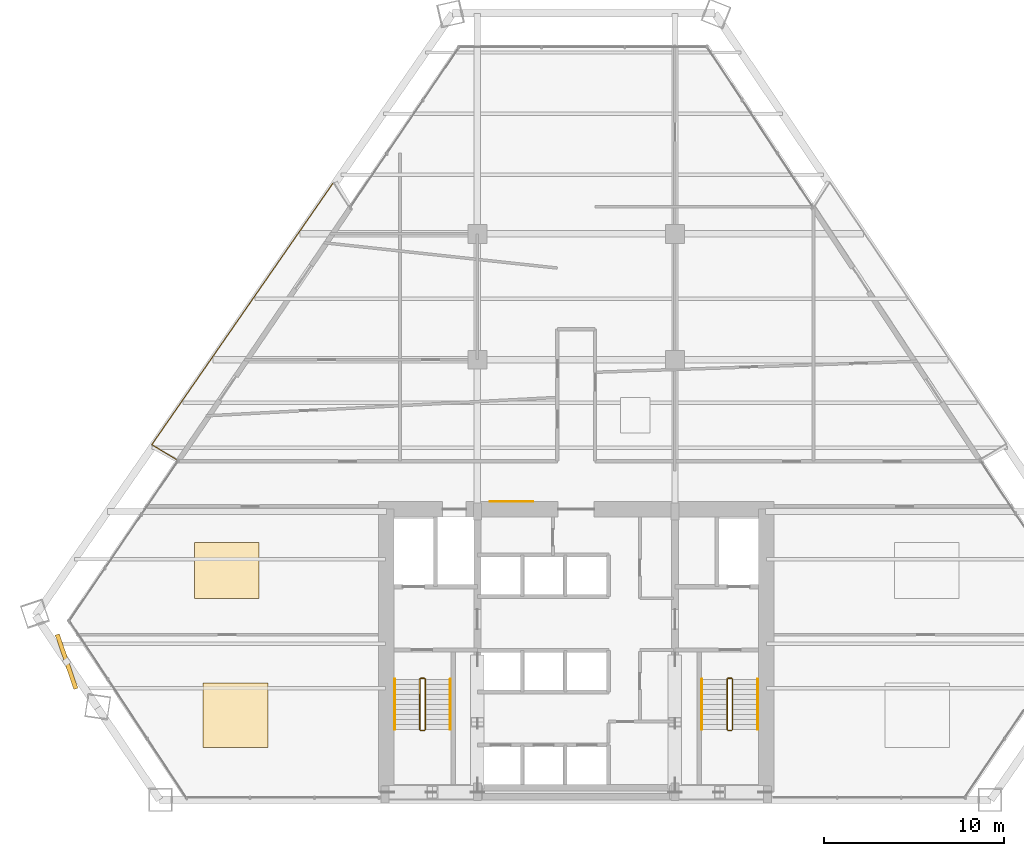
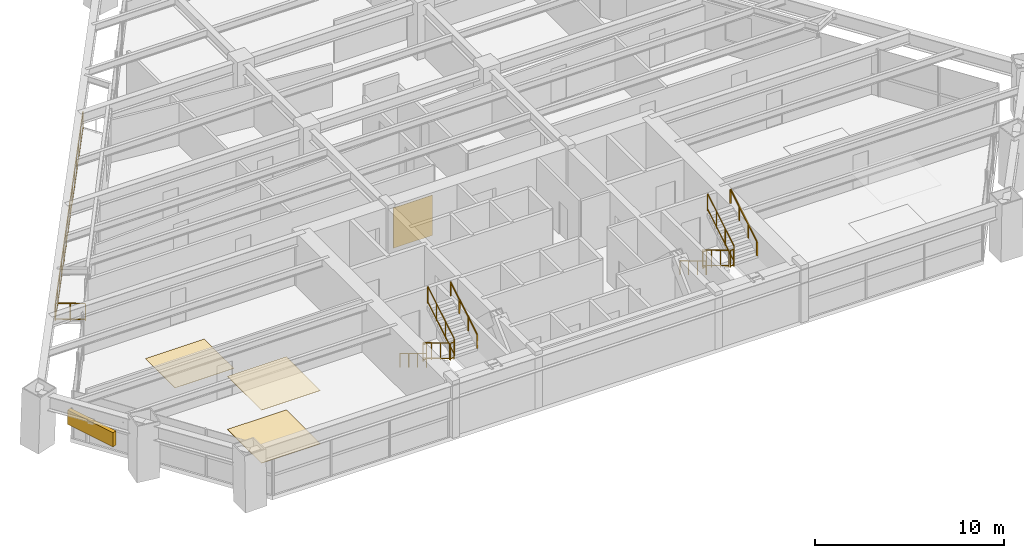
# One storey, part 13 of 14: 14 railings, 4 coverings, 1 shading device.
"""IFC4 building model written with IfcOpenShell, lengths in metres."""

from ifc_helpers import new_model, si_unit, direction, frame, origin, origin_2d, place, context, subcontext, project, spatial, rectangle, extrude, source, transform, mapped, material, layer, layer_set, type_object, type_shapes, element, save


model = new_model("IFC4")

# Units and contexts
model_context = context("Model", 3, precision=1e-05, world=origin(), true_north=direction((0.0, 1.0)))
body_context = subcontext(model_context, "Body", "Model", "MODEL_VIEW")
ifc_project = project(units=[si_unit("LENGTHUNIT", "METRE"), si_unit("AREAUNIT", "SQUARE_METRE"), si_unit("VOLUMEUNIT", "CUBIC_METRE"), si_unit("PLANEANGLEUNIT", "RADIAN"), si_unit("MASSUNIT", "GRAM", prefix="KILO")], contexts=[model_context])

# Site, building, storey
site_placement = place(None, origin())
site = spatial("IfcSite", under=ifc_project, at=site_placement, CompositionType="ELEMENT")
building_placement = place(site_placement, origin())
building = spatial("IfcBuilding", under=site, at=building_placement, Name="Varnakhor Terracotta Tower", CompositionType="ELEMENT")
storey_placement = place(building_placement, frame((0.0, 0.0, 64.5)))
storey = spatial("IfcBuildingStorey", under=building, at=storey_placement, Name="L15", CompositionType="ELEMENT", Elevation=64.5)

# Railings
ifc_material_1 = material(Name="Stainless Steel & Laminated Glass Guardrail", Category="steel")
railing_type_1 = type_object("IfcRailingType", Name="RLG-LOGGIA-GUARD-1150", PredefinedType="GUARDRAIL", material=ifc_material_1)
railing_1_placement = place(storey_placement, frame((-22.256591796875, 18.94677734375, 0.0)))
element("IfcRailing", 1, at=railing_1_placement, inside=storey, type_object=railing_type_1, Name="L15 W Loggia Glass Guard 1", PredefinedType="GUARDRAIL", context=body_context, shape_type="SweptSolid", body=[
    extrude(rectangle(XDim=0.048095703125, YDim=0.048095703125, at=origin_2d()), frame((0.0, 0.0, 1.1259765625), z_axis=(-0.856559781601, 0.51604780839, 0.0), x_axis=(-0.51604780839, -0.856559781601, 0.0)), (0.0, 0.0, 1.0), 1.59521484375),
    extrude(rectangle(XDim=0.048095703125, YDim=0.048095703125, at=origin_2d()), frame((0.0, 0.0, 0.10009765625), z_axis=(-0.856559781601, 0.51604780839, 0.0), x_axis=(-0.51604780839, -0.856559781601, 0.0)), (0.0, 0.0, 1.0), 1.59521484375),
    extrude(rectangle(XDim=0.0419921875, YDim=0.0419921875, at=origin_2d()), origin(), (0.0, 0.0, 1.0), 1.101806640625),
    extrude(rectangle(XDim=0.0419921875, YDim=0.0419921875, at=origin_2d()), frame((-0.68310546875, 0.41162109375, 0.0)), (0.0, 0.0, 1.0), 1.101806640625),
    extrude(rectangle(XDim=0.0419921875, YDim=0.0419921875, at=origin_2d()), frame((-1.366455078125, 0.8232421875, 0.0)), (0.0, 0.0, 1.0), 1.101806640625),
])
railing_2_placement = place(storey_placement, frame((-23.623046875, 19.77001953125, 0.0)))
element("IfcRailing", 2, at=railing_2_placement, inside=storey, type_object=railing_type_1, Name="L15 W Loggia Glass Guard 2", PredefinedType="GUARDRAIL", context=body_context, shape_type="SweptSolid", body=[
    extrude(rectangle(XDim=0.048095703125, YDim=0.048095703125, at=origin_2d()), frame((0.0, 0.0, 1.1259765625), z_axis=(0.569631402646, 0.82190027687, 0.0), x_axis=(-0.82190027687, 0.569631402646, 0.0)), (0.0, 0.0, 1.0), 17.740478515625),
    extrude(rectangle(XDim=0.048095703125, YDim=0.048095703125, at=origin_2d()), frame((0.0, 0.0, 0.10009765625), z_axis=(0.569631402646, 0.82190027687, 0.0), x_axis=(-0.82190027687, 0.569631402646, 0.0)), (0.0, 0.0, 1.0), 17.740478515625),
    extrude(rectangle(XDim=0.0419921875, YDim=0.0419921875, at=origin_2d()), origin(), (0.0, 0.0, 1.0), 1.101806640625),
    extrude(rectangle(XDim=0.0419921875, YDim=0.0419921875, at=origin_2d()), frame((0.77734375, 1.12158203125, 0.0)), (0.0, 0.0, 1.0), 1.101806640625),
    extrude(rectangle(XDim=0.0419921875, YDim=0.0419921875, at=origin_2d()), frame((1.5546875, 2.2431640625, 0.0)), (0.0, 0.0, 1.0), 1.101806640625),
    extrude(rectangle(XDim=0.0419921875, YDim=0.0419921875, at=origin_2d()), frame((2.33203125, 3.36474609375, 0.0)), (0.0, 0.0, 1.0), 1.101806640625),
    extrude(rectangle(XDim=0.0419921875, YDim=0.0419921875, at=origin_2d()), frame((3.109375, 4.486328125, 0.0)), (0.0, 0.0, 1.0), 1.101806640625),
    extrude(rectangle(XDim=0.0419921875, YDim=0.0419921875, at=origin_2d()), frame((3.88671875, 5.60791015625, 0.0)), (0.0, 0.0, 1.0), 1.101806640625),
    extrude(rectangle(XDim=0.0419921875, YDim=0.0419921875, at=origin_2d()), frame((4.6640625, 6.7294921875, 0.0)), (0.0, 0.0, 1.0), 1.101806640625),
    extrude(rectangle(XDim=0.0419921875, YDim=0.0419921875, at=origin_2d()), frame((5.44140625, 7.851318359375, 0.0)), (0.0, 0.0, 1.0), 1.101806640625),
    extrude(rectangle(XDim=0.0419921875, YDim=0.0419921875, at=origin_2d()), frame((6.21875, 8.972900390625, 0.0)), (0.0, 0.0, 1.0), 1.101806640625),
    extrude(rectangle(XDim=0.0419921875, YDim=0.0419921875, at=origin_2d()), frame((6.99609375, 10.094482421875, 0.0)), (0.0, 0.0, 1.0), 1.101806640625),
    extrude(rectangle(XDim=0.0419921875, YDim=0.0419921875, at=origin_2d()), frame((7.7734375, 11.216064453125, 0.0)), (0.0, 0.0, 1.0), 1.101806640625),
    extrude(rectangle(XDim=0.0419921875, YDim=0.0419921875, at=origin_2d()), frame((8.55078125, 12.337646484375, 0.0)), (0.0, 0.0, 1.0), 1.101806640625),
    extrude(rectangle(XDim=0.0419921875, YDim=0.0419921875, at=origin_2d()), frame((9.328125, 13.459228515625, 0.0)), (0.0, 0.0, 1.0), 1.101806640625),
    extrude(rectangle(XDim=0.0419921875, YDim=0.0419921875, at=origin_2d()), frame((10.10546875, 14.580810546875, 0.0)), (0.0, 0.0, 1.0), 1.101806640625),
])
ifc_material_2 = material(Name="Painted Steel Stairwell Guardrail", Category="steel")
railing_type_2 = type_object("IfcRailingType", Name="RLG-STAIR-GUARD-1120", PredefinedType="GUARDRAIL", material=ifc_material_2)
railing_3_placement = place(storey_placement, frame((-8.699951171875, 6.7099609375, 0.168212890625)))
element("IfcRailing", 3, at=railing_3_placement, inside=storey, type_object=railing_type_2, Name="L15 ST-1 stair guard 1", PredefinedType="GUARDRAIL", context=body_context, shape_type="SweptSolid", body=[
    extrude(rectangle(XDim=0.048095703125, YDim=0.048095703125, at=origin_2d()), frame((0.0, 0.0, 1.09619140625), z_axis=(0.0, -0.857242210791, 0.514913383045), x_axis=(1.0, 0.0, 0.0)), (0.0, 0.0, 1.0), 3.266357421875),
    extrude(rectangle(XDim=0.048095703125, YDim=0.048095703125, at=origin_2d()), frame((0.0, 0.0, 0.10009765625), z_axis=(0.0, -0.857242210791, 0.514913383045), x_axis=(1.0, 0.0, 0.0)), (0.0, 0.0, 1.0), 3.266357421875),
    extrude(rectangle(XDim=0.0419921875, YDim=0.0419921875, at=origin_2d()), origin(), (0.0, 0.0, 1.0), 1.072021484375),
    extrude(rectangle(XDim=0.0419921875, YDim=0.0419921875, at=origin_2d()), frame((0.0, -0.933349609375, 0.560546875)), (0.0, 0.0, 1.0), 1.072021484375),
    extrude(rectangle(XDim=0.0419921875, YDim=0.0419921875, at=origin_2d()), frame((0.0, -1.86669921875, 1.121337890625)), (0.0, 0.0, 1.0), 1.072021484375),
    extrude(rectangle(XDim=0.0419921875, YDim=0.0419921875, at=origin_2d()), frame((0.0, -2.800048828125, 1.681884765625)), (0.0, 0.0, 1.0), 1.072021484375),
])
railing_4_placement = place(storey_placement, frame((-8.64990234375, 3.860107421875, 1.85009765625)))
element("IfcRailing", 4, at=railing_4_placement, inside=storey, type_object=railing_type_2, Name="L15 ST-1 stair guard 2", PredefinedType="GUARDRAIL", context=body_context, shape_type="SweptSolid", body=[
    extrude(rectangle(XDim=0.048095703125, YDim=0.048095703125, at=origin_2d()), frame((0.0, 0.0, 1.09619140625), z_axis=(1.0, 0.0, 0.0), x_axis=(0.0, 1.0, 0.0)), (0.0, 0.0, 1.0), 0.199951171875),
    extrude(rectangle(XDim=0.048095703125, YDim=0.048095703125, at=origin_2d()), frame((0.0, 0.0, 0.10009765625), z_axis=(1.0, 0.0, 0.0), x_axis=(0.0, 1.0, 0.0)), (0.0, 0.0, 1.0), 0.199951171875),
    extrude(rectangle(XDim=0.0419921875, YDim=0.0419921875, at=origin_2d()), origin(), (0.0, 0.0, 1.0), 1.072021484375),
    extrude(rectangle(XDim=0.0419921875, YDim=0.0419921875, at=origin_2d()), frame((0.199951171875, 0.0, 0.0)), (0.0, 0.0, 1.0), 1.072021484375),
])
railing_5_placement = place(storey_placement, frame((-8.39990234375, 3.909912109375, 2.01806640625)))
element("IfcRailing", 5, at=railing_5_placement, inside=storey, type_object=railing_type_2, Name="L15 ST-1 stair guard 3", PredefinedType="GUARDRAIL", context=body_context, shape_type="SweptSolid", body=[
    extrude(rectangle(XDim=0.048095703125, YDim=0.048095703125, at=origin_2d()), frame((0.0, 0.0, 1.09619140625), z_axis=(0.0, 0.857242210791, 0.514913383045), x_axis=(-1.0, 0.0, 0.0)), (0.0, 0.0, 1.0), 3.266357421875),
    extrude(rectangle(XDim=0.048095703125, YDim=0.048095703125, at=origin_2d()), frame((0.0, 0.0, 0.10009765625), z_axis=(0.0, 0.857242210791, 0.514913383045), x_axis=(-1.0, 0.0, 0.0)), (0.0, 0.0, 1.0), 3.266357421875),
    extrude(rectangle(XDim=0.0419921875, YDim=0.0419921875, at=origin_2d()), origin(), (0.0, 0.0, 1.0), 1.072021484375),
    extrude(rectangle(XDim=0.0419921875, YDim=0.0419921875, at=origin_2d()), frame((0.0, 0.933349609375, 0.560546875)), (0.0, 0.0, 1.0), 1.072021484375),
    extrude(rectangle(XDim=0.0419921875, YDim=0.0419921875, at=origin_2d()), frame((0.0, 1.86669921875, 1.121337890625)), (0.0, 0.0, 1.0), 1.072021484375),
    extrude(rectangle(XDim=0.0419921875, YDim=0.0419921875, at=origin_2d()), frame((0.0, 2.800048828125, 1.681884765625)), (0.0, 0.0, 1.0), 1.072021484375),
])
railing_6_placement = place(storey_placement, frame((-8.64990234375, 6.760009765625, 0.0)))
element("IfcRailing", 6, at=railing_6_placement, inside=storey, type_object=railing_type_2, Name="L15 ST-1 stair guard 4", PredefinedType="GUARDRAIL", context=body_context, shape_type="SweptSolid", body=[
    extrude(rectangle(XDim=0.048095703125, YDim=0.048095703125, at=origin_2d()), frame((0.0, 0.0, 1.09619140625), z_axis=(1.0, 0.0, 0.0), x_axis=(0.0, 1.0, 0.0)), (0.0, 0.0, 1.0), 0.199951171875),
    extrude(rectangle(XDim=0.048095703125, YDim=0.048095703125, at=origin_2d()), frame((0.0, 0.0, 0.10009765625), z_axis=(1.0, 0.0, 0.0), x_axis=(0.0, 1.0, 0.0)), (0.0, 0.0, 1.0), 0.199951171875),
    extrude(rectangle(XDim=0.0419921875, YDim=0.0419921875, at=origin_2d()), origin(), (0.0, 0.0, 1.0), 1.072021484375),
    extrude(rectangle(XDim=0.0419921875, YDim=0.0419921875, at=origin_2d()), frame((0.199951171875, 0.0, 0.0)), (0.0, 0.0, 1.0), 1.072021484375),
])
railing_7_placement = place(storey_placement, frame((8.39990234375, 6.7099609375, 0.168212890625)))
element("IfcRailing", 7, at=railing_7_placement, inside=storey, type_object=railing_type_2, Name="L15 ST-2 stair guard 1", PredefinedType="GUARDRAIL", context=body_context, shape_type="SweptSolid", body=[
    extrude(rectangle(XDim=0.048095703125, YDim=0.048095703125, at=origin_2d()), frame((0.0, 0.0, 1.09619140625), z_axis=(0.0, -0.857242210791, 0.514913383045), x_axis=(1.0, 0.0, 0.0)), (0.0, 0.0, 1.0), 3.266357421875),
    extrude(rectangle(XDim=0.048095703125, YDim=0.048095703125, at=origin_2d()), frame((0.0, 0.0, 0.10009765625), z_axis=(0.0, -0.857242210791, 0.514913383045), x_axis=(1.0, 0.0, 0.0)), (0.0, 0.0, 1.0), 3.266357421875),
    extrude(rectangle(XDim=0.0419921875, YDim=0.0419921875, at=origin_2d()), origin(), (0.0, 0.0, 1.0), 1.072021484375),
    extrude(rectangle(XDim=0.0419921875, YDim=0.0419921875, at=origin_2d()), frame((0.0, -0.933349609375, 0.560546875)), (0.0, 0.0, 1.0), 1.072021484375),
    extrude(rectangle(XDim=0.0419921875, YDim=0.0419921875, at=origin_2d()), frame((0.0, -1.86669921875, 1.121337890625)), (0.0, 0.0, 1.0), 1.072021484375),
    extrude(rectangle(XDim=0.0419921875, YDim=0.0419921875, at=origin_2d()), frame((0.0, -2.800048828125, 1.681884765625)), (0.0, 0.0, 1.0), 1.072021484375),
])
railing_8_placement = place(storey_placement, frame((8.449951171875, 3.860107421875, 1.85009765625)))
element("IfcRailing", 8, at=railing_8_placement, inside=storey, type_object=railing_type_2, Name="L15 ST-2 stair guard 2", PredefinedType="GUARDRAIL", context=body_context, shape_type="SweptSolid", body=[
    extrude(rectangle(XDim=0.048095703125, YDim=0.048095703125, at=origin_2d()), frame((0.0, 0.0, 1.09619140625), z_axis=(1.0, 0.0, 0.0), x_axis=(0.0, 1.0, 0.0)), (0.0, 0.0, 1.0), 0.199951171875),
    extrude(rectangle(XDim=0.048095703125, YDim=0.048095703125, at=origin_2d()), frame((0.0, 0.0, 0.10009765625), z_axis=(1.0, 0.0, 0.0), x_axis=(0.0, 1.0, 0.0)), (0.0, 0.0, 1.0), 0.199951171875),
    extrude(rectangle(XDim=0.0419921875, YDim=0.0419921875, at=origin_2d()), origin(), (0.0, 0.0, 1.0), 1.072021484375),
    extrude(rectangle(XDim=0.0419921875, YDim=0.0419921875, at=origin_2d()), frame((0.199951171875, 0.0, 0.0)), (0.0, 0.0, 1.0), 1.072021484375),
])
railing_9_placement = place(storey_placement, frame((8.699951171875, 3.909912109375, 2.01806640625)))
element("IfcRailing", 9, at=railing_9_placement, inside=storey, type_object=railing_type_2, Name="L15 ST-2 stair guard 3", PredefinedType="GUARDRAIL", context=body_context, shape_type="SweptSolid", body=[
    extrude(rectangle(XDim=0.048095703125, YDim=0.048095703125, at=origin_2d()), frame((0.0, 0.0, 1.09619140625), z_axis=(0.0, 0.857242210791, 0.514913383045), x_axis=(-1.0, 0.0, 0.0)), (0.0, 0.0, 1.0), 3.266357421875),
    extrude(rectangle(XDim=0.048095703125, YDim=0.048095703125, at=origin_2d()), frame((0.0, 0.0, 0.10009765625), z_axis=(0.0, 0.857242210791, 0.514913383045), x_axis=(-1.0, 0.0, 0.0)), (0.0, 0.0, 1.0), 3.266357421875),
    extrude(rectangle(XDim=0.0419921875, YDim=0.0419921875, at=origin_2d()), origin(), (0.0, 0.0, 1.0), 1.072021484375),
    extrude(rectangle(XDim=0.0419921875, YDim=0.0419921875, at=origin_2d()), frame((0.0, 0.933349609375, 0.560546875)), (0.0, 0.0, 1.0), 1.072021484375),
    extrude(rectangle(XDim=0.0419921875, YDim=0.0419921875, at=origin_2d()), frame((0.0, 1.86669921875, 1.121337890625)), (0.0, 0.0, 1.0), 1.072021484375),
    extrude(rectangle(XDim=0.0419921875, YDim=0.0419921875, at=origin_2d()), frame((0.0, 2.800048828125, 1.681884765625)), (0.0, 0.0, 1.0), 1.072021484375),
])
railing_10_placement = place(storey_placement, frame((8.449951171875, 6.760009765625, 0.0)))
element("IfcRailing", 10, at=railing_10_placement, inside=storey, type_object=railing_type_2, Name="L15 ST-2 stair guard 4", PredefinedType="GUARDRAIL", context=body_context, shape_type="SweptSolid", body=[
    extrude(rectangle(XDim=0.048095703125, YDim=0.048095703125, at=origin_2d()), frame((0.0, 0.0, 1.09619140625), z_axis=(1.0, 0.0, 0.0), x_axis=(0.0, 1.0, 0.0)), (0.0, 0.0, 1.0), 0.199951171875),
    extrude(rectangle(XDim=0.048095703125, YDim=0.048095703125, at=origin_2d()), frame((0.0, 0.0, 0.10009765625), z_axis=(1.0, 0.0, 0.0), x_axis=(0.0, 1.0, 0.0)), (0.0, 0.0, 1.0), 0.199951171875),
    extrude(rectangle(XDim=0.0419921875, YDim=0.0419921875, at=origin_2d()), origin(), (0.0, 0.0, 1.0), 1.072021484375),
    extrude(rectangle(XDim=0.0419921875, YDim=0.0419921875, at=origin_2d()), frame((0.199951171875, 0.0, 0.0)), (0.0, 0.0, 1.0), 1.072021484375),
])
ifc_material_3 = material(Name="Brushed Stainless Steel Handrail", Category="steel")
railing_type_3 = type_object("IfcRailingType", Name="RLG-STAIR-HANDRAIL-920", PredefinedType="HANDRAIL", material=ifc_material_3)
railing_11_placement = place(storey_placement, frame((-10.10009765625, 6.7099609375, 0.168212890625)))
element("IfcRailing", 11, at=railing_11_placement, inside=storey, type_object=railing_type_3, Name="L15 ST-1 stair handrail 1", PredefinedType="HANDRAIL", context=body_context, shape_type="SweptSolid", body=[
    extrude(rectangle(XDim=0.048095703125, YDim=0.048095703125, at=origin_2d()), frame((0.0, 0.0, 0.89599609375), z_axis=(0.0, -0.857242210791, 0.514913383045), x_axis=(1.0, 0.0, 0.0)), (0.0, 0.0, 1.0), 3.266357421875),
    extrude(rectangle(XDim=0.0419921875, YDim=0.0419921875, at=origin_2d()), origin(), (0.0, 0.0, 1.0), 0.871826171875),
    extrude(rectangle(XDim=0.0419921875, YDim=0.0419921875, at=origin_2d()), frame((0.0, -0.933349609375, 0.560546875)), (0.0, 0.0, 1.0), 0.871826171875),
    extrude(rectangle(XDim=0.0419921875, YDim=0.0419921875, at=origin_2d()), frame((0.0, -1.86669921875, 1.121337890625)), (0.0, 0.0, 1.0), 0.871826171875),
    extrude(rectangle(XDim=0.0419921875, YDim=0.0419921875, at=origin_2d()), frame((0.0, -2.800048828125, 1.681884765625)), (0.0, 0.0, 1.0), 0.871826171875),
])
railing_12_placement = place(storey_placement, frame((-7.0, 3.909912109375, 2.01806640625)))
element("IfcRailing", 12, at=railing_12_placement, inside=storey, type_object=railing_type_3, Name="L15 ST-1 stair handrail 2", PredefinedType="HANDRAIL", context=body_context, shape_type="SweptSolid", body=[
    extrude(rectangle(XDim=0.048095703125, YDim=0.048095703125, at=origin_2d()), frame((0.0, 0.0, 0.89599609375), z_axis=(0.0, 0.857242210791, 0.514913383045), x_axis=(-1.0, 0.0, 0.0)), (0.0, 0.0, 1.0), 3.266357421875),
    extrude(rectangle(XDim=0.0419921875, YDim=0.0419921875, at=origin_2d()), origin(), (0.0, 0.0, 1.0), 0.871826171875),
    extrude(rectangle(XDim=0.0419921875, YDim=0.0419921875, at=origin_2d()), frame((0.0, 0.933349609375, 0.560546875)), (0.0, 0.0, 1.0), 0.871826171875),
    extrude(rectangle(XDim=0.0419921875, YDim=0.0419921875, at=origin_2d()), frame((0.0, 1.86669921875, 1.121337890625)), (0.0, 0.0, 1.0), 0.871826171875),
    extrude(rectangle(XDim=0.0419921875, YDim=0.0419921875, at=origin_2d()), frame((0.0, 2.800048828125, 1.681884765625)), (0.0, 0.0, 1.0), 0.871826171875),
])
railing_13_placement = place(storey_placement, frame((7.0, 6.7099609375, 0.168212890625)))
element("IfcRailing", 13, at=railing_13_placement, inside=storey, type_object=railing_type_3, Name="L15 ST-2 stair handrail 1", PredefinedType="HANDRAIL", context=body_context, shape_type="SweptSolid", body=[
    extrude(rectangle(XDim=0.048095703125, YDim=0.048095703125, at=origin_2d()), frame((0.0, 0.0, 0.89599609375), z_axis=(0.0, -0.857242210791, 0.514913383045), x_axis=(1.0, 0.0, 0.0)), (0.0, 0.0, 1.0), 3.266357421875),
    extrude(rectangle(XDim=0.0419921875, YDim=0.0419921875, at=origin_2d()), origin(), (0.0, 0.0, 1.0), 0.871826171875),
    extrude(rectangle(XDim=0.0419921875, YDim=0.0419921875, at=origin_2d()), frame((0.0, -0.933349609375, 0.560546875)), (0.0, 0.0, 1.0), 0.871826171875),
    extrude(rectangle(XDim=0.0419921875, YDim=0.0419921875, at=origin_2d()), frame((0.0, -1.86669921875, 1.121337890625)), (0.0, 0.0, 1.0), 0.871826171875),
    extrude(rectangle(XDim=0.0419921875, YDim=0.0419921875, at=origin_2d()), frame((0.0, -2.800048828125, 1.681884765625)), (0.0, 0.0, 1.0), 0.871826171875),
])
railing_14_placement = place(storey_placement, frame((10.10009765625, 3.909912109375, 2.01806640625)))
element("IfcRailing", 14, at=railing_14_placement, inside=storey, type_object=railing_type_3, Name="L15 ST-2 stair handrail 2", PredefinedType="HANDRAIL", context=body_context, shape_type="SweptSolid", body=[
    extrude(rectangle(XDim=0.048095703125, YDim=0.048095703125, at=origin_2d()), frame((0.0, 0.0, 0.89599609375), z_axis=(0.0, 0.857242210791, 0.514913383045), x_axis=(-1.0, 0.0, 0.0)), (0.0, 0.0, 1.0), 3.266357421875),
    extrude(rectangle(XDim=0.0419921875, YDim=0.0419921875, at=origin_2d()), origin(), (0.0, 0.0, 1.0), 0.871826171875),
    extrude(rectangle(XDim=0.0419921875, YDim=0.0419921875, at=origin_2d()), frame((0.0, 0.933349609375, 0.560546875)), (0.0, 0.0, 1.0), 0.871826171875),
    extrude(rectangle(XDim=0.0419921875, YDim=0.0419921875, at=origin_2d()), frame((0.0, 1.86669921875, 1.121337890625)), (0.0, 0.0, 1.0), 0.871826171875),
    extrude(rectangle(XDim=0.0419921875, YDim=0.0419921875, at=origin_2d()), frame((0.0, 2.800048828125, 1.681884765625)), (0.0, 0.0, 1.0), 0.871826171875),
])

# Shading device
ifc_material_4 = material(Name="Extruded Architectural Terracotta Screen", Category="masonry")
shading_device_type = type_object("IfcShadingDeviceType", Name="TERRACOTTA SOLAR SCREEN W", PredefinedType="USERDEFINED", material=ifc_material_4)
shared_shape_1 = source(origin(), body_context, "Body", "SweptSolid", [
    extrude(rectangle(XDim=3.199951171875, YDim=0.239990234375, at=origin_2d()), origin(), (0.0, 0.0, 1.0), 0.919921875),
])
type_shapes(shading_device_type, [shared_shape_1])
shading_device_placement = place(storey_placement, frame((-28.3662109375, 7.691162109375, 1.617919921875), z_axis=(0.0, 0.0, 1.0), x_axis=(0.324825445567, -0.945773984582, 0.0)))
element("IfcShadingDevice", 15, at=shading_device_placement, inside=storey, type_object=shading_device_type, Name="L15 W Terracotta Solar Screen", ObjectType="SCREEN", PredefinedType="USERDEFINED", context=body_context, shape_type="MappedRepresentation", body=[
    mapped(shared_shape_1, transform((0.0, 0.0, 0.0), scale=1.0)),
])

# Coverings
ifc_material_5 = material(Name="Extruded Architectural Terracotta Cladding", Category="masonry")
ifc_layer_1 = layer(ifc_material_5, 0.044921875, Name="Extruded Architectural Terracotta Cladding")
ifc_layer_set_1 = layer_set([ifc_layer_1], Name="Extruded Architectural Terracotta Cladding")
covering_type_1 = type_object("IfcCoveringType", Name="COV-CLAD-TERRACOTTA", PredefinedType="CLADDING", material=ifc_layer_set_1)
shared_shape_2 = source(origin(), body_context, "Body", "SweptSolid", [
    extrude(rectangle(XDim=2.39990234375, YDim=0.030029296875, at=origin_2d()), origin(), (0.0, 0.0, 1.0), 2.60009765625),
])
type_shapes(covering_type_1, [shared_shape_2])
covering_1_placement = place(storey_placement, frame((-3.60009765625, 16.612060546875, 0.0), z_axis=(0.0, 0.0, 1.0), x_axis=(1.0, 0.0, 0.0)))
element("IfcCovering", 16, at=covering_1_placement, inside=storey, type_object=covering_type_1, Name="L15 Core Lobby Limestone Cladding", PredefinedType="CLADDING", context=body_context, shape_type="MappedRepresentation", body=[
    mapped(shared_shape_2, transform((0.0, 0.0, 0.0), scale=1.0)),
])
ifc_material_6 = material(Name="Honed Riyadh Limestone Flooring", Category="masonry")
ifc_layer_2 = layer(ifc_material_6, 0.030029296875, Name="Honed Riyadh Limestone Flooring")
ifc_layer_set_2 = layer_set([ifc_layer_2], Name="Honed Riyadh Limestone Flooring")
covering_type_2 = type_object("IfcCoveringType", Name="COV-FLOOR-LIMESTONE", PredefinedType="FLOORING", material=ifc_layer_set_2)
shared_shape_3 = source(origin(), body_context, "Body", "SweptSolid", [
    extrude(rectangle(XDim=3.60009765625, YDim=3.60009765625, at=origin_2d()), origin(), (0.0, 0.0, 1.0), 0.02001953125),
])
covering_2_placement = place(storey_placement, frame((-18.958984375, 4.701904296875, 0.0), z_axis=(0.0, 0.0, 1.0), x_axis=(1.0, 0.0, 0.0)))
element("IfcCovering", 17, at=covering_2_placement, inside=storey, type_object=covering_type_2, Name="L15 Honed Stone Flooring 1", PredefinedType="FLOORING", context=body_context, shape_type="MappedRepresentation", body=[
    mapped(shared_shape_3, transform((0.0, 0.0, 0.0), scale=1.0)),
])
ifc_material_7 = material(Name="Perforated Acoustic Mineral-Fibre Ceiling", Category="gypsum")
ifc_layer_3 = layer(ifc_material_7, 0.02490234375, Name="Perforated Acoustic Mineral-Fibre Ceiling")
ifc_layer_set_3 = layer_set([ifc_layer_3], Name="Perforated Acoustic Mineral-Fibre Ceiling")
covering_type_3 = type_object("IfcCoveringType", Name="COV-CEILING-ACOUSTIC", PredefinedType="CEILING", material=ifc_layer_set_3)
shared_shape_4 = source(origin(), body_context, "Body", "SweptSolid", [
    extrude(rectangle(XDim=3.60009765625, YDim=3.60009765625, at=origin_2d()), origin(), (0.0, 0.0, 1.0), 0.02392578125),
])
covering_3_placement = place(storey_placement, frame((-18.958984375, 4.701904296875, 3.426025390625), z_axis=(0.0, 0.0, 1.0), x_axis=(1.0, 0.0, 0.0)))
element("IfcCovering", 18, at=covering_3_placement, inside=storey, type_object=covering_type_3, Name="L15 Acoustic Ceiling Panel 1", PredefinedType="CEILING", context=body_context, shape_type="MappedRepresentation", body=[
    mapped(shared_shape_4, transform((0.0, 0.0, 0.0), scale=1.0)),
])
shared_shape_5 = source(origin(), body_context, "Body", "SweptSolid", [
    extrude(rectangle(XDim=3.60009765625, YDim=3.1220703125, at=origin_2d()), origin(), (0.0, 0.0, 1.0), 0.02001953125),
])
covering_4_placement = place(storey_placement, frame((-19.451904296875, 12.763916015625, 0.0), z_axis=(0.0, 0.0, 1.0), x_axis=(1.0, 0.0, 0.0)))
element("IfcCovering", 19, at=covering_4_placement, inside=storey, type_object=covering_type_2, Name="L15 Honed Stone Flooring 3", PredefinedType="FLOORING", context=body_context, shape_type="MappedRepresentation", body=[
    mapped(shared_shape_5, transform((0.0, 0.0, 0.0), scale=1.0)),
])

save(model, "model.ifc")
